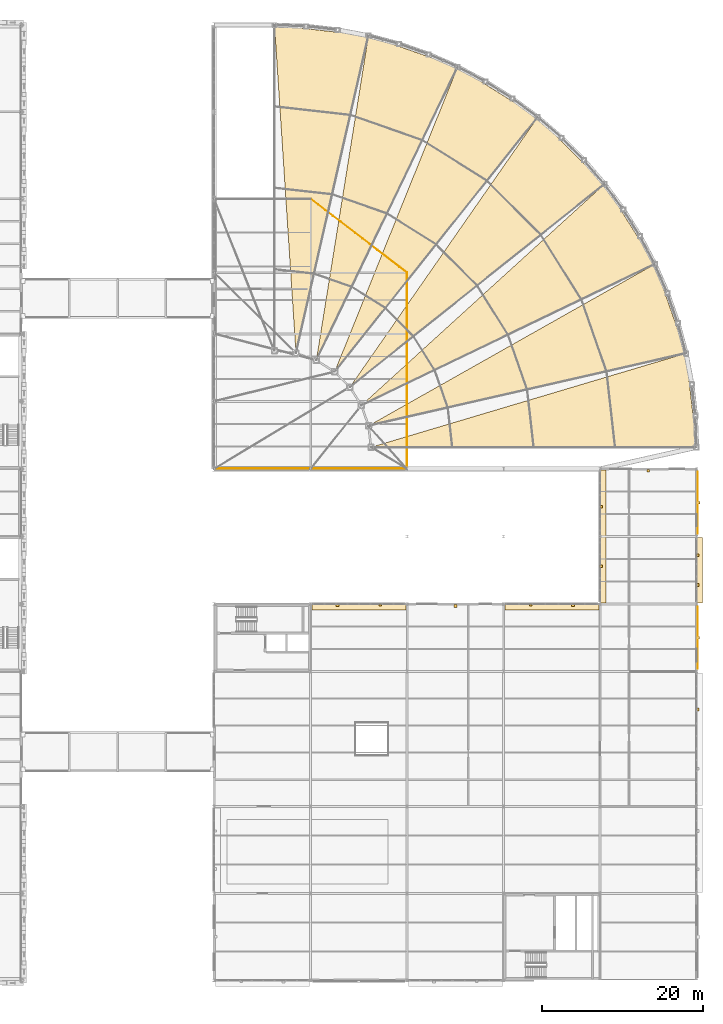
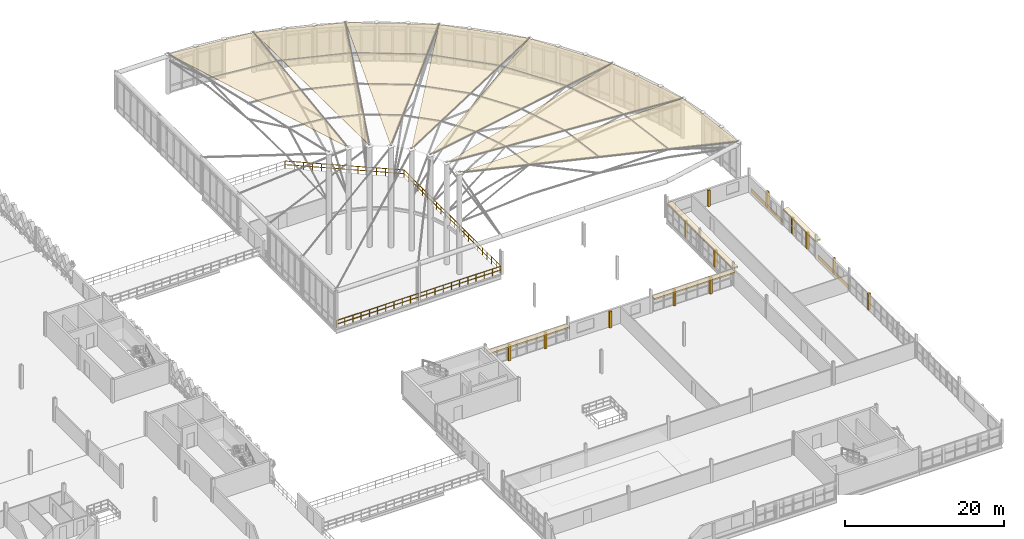
# One storey, part 101 of 101: 13 coverings, 13 shading devices, 3 railings.
"""IFC4 building model written with IfcOpenShell, lengths in metres."""

from ifc_helpers import new_model, si_unit, direction, frame, origin, origin_2d, place, context, subcontext, project, spatial, polyline, rectangle, circle, outline, extrude, material, layer, layer_set, material_profile, profile_set, type_object, element, save


model = new_model("IFC4")

# Units and contexts
model_context = context("Model", 3, precision=1e-05, world=origin(), true_north=direction((0.0, 1.0)))
body_context = subcontext(model_context, "Body", "Model", "MODEL_VIEW")
ifc_project = project(units=[si_unit("LENGTHUNIT", "METRE"), si_unit("AREAUNIT", "SQUARE_METRE"), si_unit("VOLUMEUNIT", "CUBIC_METRE"), si_unit("PLANEANGLEUNIT", "RADIAN"), si_unit("MASSUNIT", "GRAM", prefix="KILO"), si_unit("THERMODYNAMICTEMPERATUREUNIT", "KELVIN"), si_unit("POWERUNIT", "WATT")], contexts=[model_context])

# Site, building, storey
site_placement = place(None, origin())
site = spatial("IfcSite", under=ifc_project, at=site_placement, CompositionType="ELEMENT")
building_placement = place(site_placement, origin())
building = spatial("IfcBuilding", under=site, at=building_placement, Name="Tembeka Court Mobility Hub", CompositionType="ELEMENT")
storey_placement = place(building_placement, frame((0.0, 0.0, 5.39990234375)))
storey = spatial("IfcBuildingStorey", under=building, at=storey_placement, Name="L01", CompositionType="ELEMENT", Elevation=5.39990234375)

# Coverings
ifc_material_1 = material(Name="Dressed ochre Nairobi volcanic-tuff cladding", Category="masonry")
ifc_layer_1 = layer(ifc_material_1, 0.0400390625)
ifc_layer_set_1 = layer_set([ifc_layer_1], Name="Dressed ochre Nairobi volcanic-tuff cladding")
covering_type_1 = type_object("IfcCoveringType", Name="COV-CD01", PredefinedType="CLADDING", material=ifc_layer_set_1)
covering_1_placement = place(storey_placement, frame((176.544921875, 42.60009765625, 0.0), z_axis=(0.0, 0.0, 1.0), x_axis=(0.0, 1.0, 0.0)))
element("IfcCovering", 1, at=covering_1_placement, inside=storey, type_object=covering_type_1, Name="Volcanic-tuff spandrel cladding CVD1-08", PredefinedType="CLADDING", context=body_context, shape_type="SweptSolid", body=[
    extrude(rectangle(XDim=7.743896484375, YDim=0.0400390625, at=origin_2d()), origin(), (0.0, 0.0, 1.0), 0.60009765625),
])
covering_2_placement = place(storey_placement, frame((176.760009765625, 51.0, 2.30517578125), z_axis=(0.0, 0.0, 1.0), x_axis=(0.0, 1.0, 0.0)))
element("IfcCovering", 2, at=covering_2_placement, inside=storey, type_object=covering_type_1, Name="Projecting volcanic-tuff solar hood CVD1-H009", PredefinedType="CLADDING", context=body_context, shape_type="SweptSolid", body=[
    extrude(rectangle(XDim=8.10009765625, YDim=0.800048828125, at=origin_2d()), origin(), (0.0, 0.0, 1.0), 0.219970703125),
])
covering_3_placement = place(storey_placement, frame((176.544921875, 59.39990234375, 0.0), z_axis=(0.0, 0.0, 1.0), x_axis=(0.0, 1.0, 0.0)))
element("IfcCovering", 3, at=covering_3_placement, inside=storey, type_object=covering_type_1, Name="Volcanic-tuff spandrel cladding CVD1-10", PredefinedType="CLADDING", context=body_context, shape_type="SweptSolid", body=[
    extrude(rectangle(XDim=7.743896484375, YDim=0.0400390625, at=origin_2d()), origin(), (0.0, 0.0, 1.0), 0.60009765625),
])
covering_4_placement = place(storey_placement, frame((164.760009765625, 55.199951171875, 2.30517578125), z_axis=(0.0, 0.0, 1.0), x_axis=(0.0, 1.0, 0.0)))
element("IfcCovering", 4, at=covering_4_placement, inside=storey, type_object=covering_type_1, Name="Projecting volcanic-tuff solar hood CVD1-H011", PredefinedType="CLADDING", context=body_context, shape_type="SweptSolid", body=[
    extrude(rectangle(XDim=16.5, YDim=0.800048828125, at=origin_2d()), origin(), (0.0, 0.0, 1.0), 0.219970703125),
])
for number, where, z_axis, x_axis, name in (
    (5, (134.39990234375, 46.43994140625, 2.30517578125), (0.0, 0.0, 1.0), (1.0, 0.0, 0.0), "Projecting volcanic-tuff solar hood CVD1-H012"),
    (6, (158.39990234375, 46.43994140625, 2.30517578125), (0.0, 0.0, 1.0), (1.0, 0.0, 0.0), "Projecting volcanic-tuff solar hood CVD1-H013"),
):
    element("IfcCovering", number, at=place(storey_placement, frame(where, z_axis=z_axis, x_axis=x_axis)), inside=storey, type_object=covering_type_1, Name=name, PredefinedType="CLADDING", context=body_context, shape_type="SweptSolid", body=[
        extrude(rectangle(XDim=11.699951171875, YDim=0.800048828125, at=origin_2d()), origin(), (0.0, 0.0, 1.0), 0.219970703125),
    ])
ifc_material_2 = material(Name="Insulated standing-seam aluminium roofing membrane", Category="aluminium")
ifc_layer_2 = layer(ifc_material_2, 0.044921875)
ifc_layer_set_2 = layer_set([ifc_layer_2], Name="Insulated standing-seam aluminium roofing membrane")
covering_type_2 = type_object("IfcCoveringType", Name="COV-RF01", PredefinedType="ROOFING", material=ifc_layer_set_2)
covering_5_placement = place(storey_placement, frame((135.89990234375, 66.300048828125, 15.420166015625), z_axis=(0.22601898476, 0.025463801108, 0.973790025294), x_axis=(0.974105884147, 0.0, -0.226092296352)))
element("IfcCovering", 7, at=covering_5_placement, inside=storey, type_object=covering_type_2, Name="Concourse cable-net membrane roofing 1A", PredefinedType="ROOFING", context=body_context, shape_type="SweptSolid", body=[
    extrude(outline(polyline([(0.0, 0.0), (41.57658901266082, 5.551115123125783e-17), (40.29450775742713, 11.686162345247663), (0.0, 0.0)])), origin(), (0.0, 0.0, -1.0), 0.044921875),
])
covering_6_placement = place(storey_placement, frame((135.59912109375, 68.97021484375, 15.420166015625), z_axis=(0.214685061222, 0.075121586184, 0.973790055288), x_axis=(0.949682566485, 0.216761262725, -0.226091967782)))
element("IfcCovering", 8, at=covering_6_placement, inside=storey, type_object=covering_type_2, Name="Concourse cable-net membrane roofing 2A", PredefinedType="ROOFING", context=body_context, shape_type="SweptSolid", body=[
    extrude(outline(polyline([(0.0, 0.0), (41.5766494342922, 1.1102230246251565e-15), (40.29448747499708, 11.686024793155449), (0.0, 0.0)])), origin(), (0.0, 0.0, -1.0), 0.044921875),
])
covering_7_placement = place(storey_placement, frame((134.711669921875, 71.506591796875, 15.420166015625), z_axis=(0.192587327599, 0.121008872189, 0.973790005134), x_axis=(0.877639409046, 0.422648026934, -0.226092266603)))
element("IfcCovering", 9, at=covering_7_placement, inside=storey, type_object=covering_type_2, Name="Concourse cable-net membrane roofing 3A", PredefinedType="ROOFING", context=body_context, shape_type="SweptSolid", body=[
    extrude(outline(polyline([(0.0, 0.0), (41.576594483319056, -3.2751579226442118e-15), (40.29446166637859, 11.686130186368866), (0.0, 0.0)])), origin(), (0.0, 0.0, -1.0), 0.044921875),
])
covering_8_placement = place(storey_placement, frame((133.281982421875, 73.781982421875, 15.420166015625), z_axis=(0.16083077629, 0.16083077629, 0.973789978792), x_axis=(0.761589270384, 0.607341855606, -0.226092135343)))
element("IfcCovering", 10, at=covering_8_placement, inside=storey, type_object=covering_type_2, Name="Concourse cable-net membrane roofing 4A", PredefinedType="ROOFING", context=body_context, shape_type="SweptSolid", body=[
    extrude(outline(polyline([(0.0, 0.0), (41.576618621013, 1.27675647831893e-15), (40.294361669550796, 11.686204064572317), (0.0, 0.0)])), origin(), (0.0, 0.0, -1.0), 0.044921875),
])
covering_9_placement = place(storey_placement, frame((131.3818359375, 75.681884765625, 15.420166015625), z_axis=(0.121008536425, 0.192586793225, 0.973790152542), x_axis=(0.607345561658, 0.761586554291, -0.22609132902)))
element("IfcCovering", 11, at=covering_9_placement, inside=storey, type_object=covering_type_2, Name="Concourse cable-net membrane roofing 5A", PredefinedType="ROOFING", context=body_context, shape_type="SweptSolid", body=[
    extrude(outline(polyline([(0.0, 0.0), (41.57676689828561, 5.467848396278896e-15), (40.29448793073483, 11.686114150666782), (0.0, 0.0)])), origin(), (0.0, 0.0, -1.0), 0.044921875),
])
covering_10_placement = place(storey_placement, frame((129.106689453125, 77.111572265625, 15.420166015625), z_axis=(0.075120278874, 0.214686048501, 0.973789938478), x_axis=(0.422648026934, 0.877639409046, -0.226092266603)))
element("IfcCovering", 12, at=covering_10_placement, inside=storey, type_object=covering_type_2, Name="Concourse cable-net membrane roofing 6A", PredefinedType="ROOFING", context=body_context, shape_type="SweptSolid", body=[
    extrude(outline(polyline([(0.0, 0.0), (41.576594483319056, 2.4424906541753444e-15), (40.294313975818994, 11.686243609356122), (0.0, 0.0)])), origin(), (0.0, 0.0, -1.0), 0.044921875),
])
covering_11_placement = place(storey_placement, frame((126.5703125, 77.9990234375, 15.420166015625), z_axis=(0.025468452716, 0.226018347718, 0.973790051506), x_axis=(0.216755666555, 0.949683775261, -0.226092255556)))
element("IfcCovering", 13, at=covering_11_placement, inside=storey, type_object=covering_type_2, Name="Concourse cable-net membrane roofing 7A", PredefinedType="ROOFING", context=body_context, shape_type="SweptSolid", body=[
    extrude(outline(polyline([(0.0, 0.0), (41.57659651474517, 1.0269562977782698e-15), (40.294545615307484, 11.686193174538985), (0.0, 0.0)])), origin(), (0.0, 0.0, -1.0), 0.044921875),
])

# Railings
ifc_material_3 = material(Name="Laminated glass and aluminium balustrade", Category="aluminium")
railing_type = type_object("IfcRailingType", Name="RL-BL01", PredefinedType="BALUSTRADE", material=ifc_material_3)
railing_1_placement = place(storey_placement, frame((116.530029296875, 63.64990234375, 0.0)))
element("IfcRailing", 14, at=railing_1_placement, inside=storey, type_object=railing_type, Name="Perimeter guard BL01-0017", PredefinedType="BALUSTRADE", context=body_context, shape_type="SweptSolid", body=[
    extrude(circle(Radius=0.02392578125, at=origin_2d()), frame((0.0, 0.0, 1.09619140625), z_axis=(1.0, 0.0, 0.0), x_axis=(0.0, 1.0, 0.0)), (0.0, 0.0, 1.0), 23.840087890625),
    extrude(circle(Radius=0.02392578125, at=origin_2d()), frame((0.0, 0.0, 0.5361328125), z_axis=(1.0, 0.0, 0.0), x_axis=(0.0, 1.0, 0.0)), (0.0, 0.0, 1.0), 23.840087890625),
    extrude(circle(Radius=0.02099609375, at=origin_2d()), origin(), (0.0, 0.0, 1.0), 1.072021484375),
    extrude(circle(Radius=0.02099609375, at=origin_2d()), frame((1.19189453125, 0.0, 0.0)), (0.0, 0.0, 1.0), 1.072021484375),
    extrude(circle(Radius=0.02099609375, at=origin_2d()), frame((2.384033203125, 0.0, 0.0)), (0.0, 0.0, 1.0), 1.072021484375),
    extrude(circle(Radius=0.02099609375, at=origin_2d()), frame((3.575927734375, 0.0, 0.0)), (0.0, 0.0, 1.0), 1.072021484375),
    extrude(circle(Radius=0.02099609375, at=origin_2d()), frame((4.76806640625, 0.0, 0.0)), (0.0, 0.0, 1.0), 1.072021484375),
    extrude(circle(Radius=0.02099609375, at=origin_2d()), frame((5.9599609375, 0.0, 0.0)), (0.0, 0.0, 1.0), 1.072021484375),
    extrude(circle(Radius=0.02099609375, at=origin_2d()), frame((7.152099609375, 0.0, 0.0)), (0.0, 0.0, 1.0), 1.072021484375),
    extrude(circle(Radius=0.02099609375, at=origin_2d()), frame((8.343994140625, 0.0, 0.0)), (0.0, 0.0, 1.0), 1.072021484375),
    extrude(circle(Radius=0.02099609375, at=origin_2d()), frame((9.5361328125, 0.0, 0.0)), (0.0, 0.0, 1.0), 1.072021484375),
    extrude(circle(Radius=0.02099609375, at=origin_2d()), frame((10.72802734375, 0.0, 0.0)), (0.0, 0.0, 1.0), 1.072021484375),
    extrude(circle(Radius=0.02099609375, at=origin_2d()), frame((11.919921875, 0.0, 0.0)), (0.0, 0.0, 1.0), 1.072021484375),
    extrude(circle(Radius=0.02099609375, at=origin_2d()), frame((13.112060546875, 0.0, 0.0)), (0.0, 0.0, 1.0), 1.072021484375),
    extrude(circle(Radius=0.02099609375, at=origin_2d()), frame((14.303955078125, 0.0, 0.0)), (0.0, 0.0, 1.0), 1.072021484375),
    extrude(circle(Radius=0.02099609375, at=origin_2d()), frame((15.49609375, 0.0, 0.0)), (0.0, 0.0, 1.0), 1.072021484375),
    extrude(circle(Radius=0.02099609375, at=origin_2d()), frame((16.68798828125, 0.0, 0.0)), (0.0, 0.0, 1.0), 1.072021484375),
    extrude(circle(Radius=0.02099609375, at=origin_2d()), frame((17.880126953125, 0.0, 0.0)), (0.0, 0.0, 1.0), 1.072021484375),
    extrude(circle(Radius=0.02099609375, at=origin_2d()), frame((19.072021484375, 0.0, 0.0)), (0.0, 0.0, 1.0), 1.072021484375),
    extrude(circle(Radius=0.02099609375, at=origin_2d()), frame((20.26416015625, 0.0, 0.0)), (0.0, 0.0, 1.0), 1.072021484375),
    extrude(circle(Radius=0.02099609375, at=origin_2d()), frame((21.4560546875, 0.0, 0.0)), (0.0, 0.0, 1.0), 1.072021484375),
    extrude(circle(Radius=0.02099609375, at=origin_2d()), frame((22.648193359375, 0.0, 0.0)), (0.0, 0.0, 1.0), 1.072021484375),
    extrude(circle(Radius=0.02099609375, at=origin_2d()), frame((23.840087890625, 0.0, 0.0)), (0.0, 0.0, 1.0), 1.072021484375),
])
railing_2_placement = place(storey_placement, frame((140.39990234375, 63.679931640625, 0.0)))
element("IfcRailing", 15, at=railing_2_placement, inside=storey, type_object=railing_type, Name="Perimeter guard BL01-0018", PredefinedType="BALUSTRADE", context=body_context, shape_type="SweptSolid", body=[
    extrude(circle(Radius=0.02392578125, at=origin_2d()), frame((0.0, 0.0, 1.09619140625), z_axis=(0.0, 1.0, 0.0), x_axis=(-1.0, 0.0, 0.0)), (0.0, 0.0, 1.0), 24.2900390625),
    extrude(circle(Radius=0.02392578125, at=origin_2d()), frame((0.0, 0.0, 0.5361328125), z_axis=(0.0, 1.0, 0.0), x_axis=(-1.0, 0.0, 0.0)), (0.0, 0.0, 1.0), 24.2900390625),
    extrude(circle(Radius=0.02099609375, at=origin_2d()), origin(), (0.0, 0.0, 1.0), 1.072021484375),
    extrude(circle(Radius=0.02099609375, at=origin_2d()), frame((0.0, 1.15673828125, 0.0)), (0.0, 0.0, 1.0), 1.072021484375),
    extrude(circle(Radius=0.02099609375, at=origin_2d()), frame((0.0, 2.313232421875, 0.0)), (0.0, 0.0, 1.0), 1.072021484375),
    extrude(circle(Radius=0.02099609375, at=origin_2d()), frame((0.0, 3.469970703125, 0.0)), (0.0, 0.0, 1.0), 1.072021484375),
    extrude(circle(Radius=0.02099609375, at=origin_2d()), frame((0.0, 4.626708984375, 0.0)), (0.0, 0.0, 1.0), 1.072021484375),
    extrude(circle(Radius=0.02099609375, at=origin_2d()), frame((0.0, 5.783447265625, 0.0)), (0.0, 0.0, 1.0), 1.072021484375),
    extrude(circle(Radius=0.02099609375, at=origin_2d()), frame((0.0, 6.93994140625, 0.0)), (0.0, 0.0, 1.0), 1.072021484375),
    extrude(circle(Radius=0.02099609375, at=origin_2d()), frame((0.0, 8.0966796875, 0.0)), (0.0, 0.0, 1.0), 1.072021484375),
    extrude(circle(Radius=0.02099609375, at=origin_2d()), frame((0.0, 9.25341796875, 0.0)), (0.0, 0.0, 1.0), 1.072021484375),
    extrude(circle(Radius=0.02099609375, at=origin_2d()), frame((0.0, 10.409912109375, 0.0)), (0.0, 0.0, 1.0), 1.072021484375),
    extrude(circle(Radius=0.02099609375, at=origin_2d()), frame((0.0, 11.566650390625, 0.0)), (0.0, 0.0, 1.0), 1.072021484375),
    extrude(circle(Radius=0.02099609375, at=origin_2d()), frame((0.0, 12.723388671875, 0.0)), (0.0, 0.0, 1.0), 1.072021484375),
    extrude(circle(Radius=0.02099609375, at=origin_2d()), frame((0.0, 13.880126953125, 0.0)), (0.0, 0.0, 1.0), 1.072021484375),
    extrude(circle(Radius=0.02099609375, at=origin_2d()), frame((0.0, 15.03662109375, 0.0)), (0.0, 0.0, 1.0), 1.072021484375),
    extrude(circle(Radius=0.02099609375, at=origin_2d()), frame((0.0, 16.193359375, 0.0)), (0.0, 0.0, 1.0), 1.072021484375),
    extrude(circle(Radius=0.02099609375, at=origin_2d()), frame((0.0, 17.35009765625, 0.0)), (0.0, 0.0, 1.0), 1.072021484375),
    extrude(circle(Radius=0.02099609375, at=origin_2d()), frame((0.0, 18.506591796875, 0.0)), (0.0, 0.0, 1.0), 1.072021484375),
    extrude(circle(Radius=0.02099609375, at=origin_2d()), frame((0.0, 19.663330078125, 0.0)), (0.0, 0.0, 1.0), 1.072021484375),
    extrude(circle(Radius=0.02099609375, at=origin_2d()), frame((0.0, 20.820068359375, 0.0)), (0.0, 0.0, 1.0), 1.072021484375),
    extrude(circle(Radius=0.02099609375, at=origin_2d()), frame((0.0, 21.976806640625, 0.0)), (0.0, 0.0, 1.0), 1.072021484375),
    extrude(circle(Radius=0.02099609375, at=origin_2d()), frame((0.0, 23.13330078125, 0.0)), (0.0, 0.0, 1.0), 1.072021484375),
    extrude(circle(Radius=0.02099609375, at=origin_2d()), frame((0.0, 24.2900390625, 0.0)), (0.0, 0.0, 1.0), 1.072021484375),
])
railing_3_placement = place(storey_placement, frame((140.376220703125, 88.018310546875, 0.0)))
element("IfcRailing", 16, at=railing_3_placement, inside=storey, type_object=railing_type, Name="Perimeter guard BL01-0019", PredefinedType="BALUSTRADE", context=body_context, shape_type="SweptSolid", body=[
    extrude(circle(Radius=0.02392578125, at=origin_2d()), frame((0.0, 0.0, 1.09619140625), z_axis=(-0.793611840347, 0.608424396996, 0.0), x_axis=(-0.608424396996, -0.793611840347, 0.0)), (0.0, 0.0, 1.0), 15.060791015625),
    extrude(circle(Radius=0.02392578125, at=origin_2d()), frame((0.0, 0.0, 0.5361328125), z_axis=(-0.793611840347, 0.608424396996, 0.0), x_axis=(-0.608424396996, -0.793611840347, 0.0)), (0.0, 0.0, 1.0), 15.060791015625),
    extrude(circle(Radius=0.02099609375, at=origin_2d()), origin(), (0.0, 0.0, 1.0), 1.072021484375),
    extrude(circle(Radius=0.02099609375, at=origin_2d()), frame((-0.91943359375, 0.704833984375, 0.0)), (0.0, 0.0, 1.0), 1.072021484375),
    extrude(circle(Radius=0.02099609375, at=origin_2d()), frame((-1.8388671875, 1.40966796875, 0.0)), (0.0, 0.0, 1.0), 1.072021484375),
    extrude(circle(Radius=0.02099609375, at=origin_2d()), frame((-2.75830078125, 2.114501953125, 0.0)), (0.0, 0.0, 1.0), 1.072021484375),
    extrude(circle(Radius=0.02099609375, at=origin_2d()), frame((-3.677734375, 2.819580078125, 0.0)), (0.0, 0.0, 1.0), 1.072021484375),
    extrude(circle(Radius=0.02099609375, at=origin_2d()), frame((-4.59716796875, 3.5244140625, 0.0)), (0.0, 0.0, 1.0), 1.072021484375),
    extrude(circle(Radius=0.02099609375, at=origin_2d()), frame((-5.5166015625, 4.229248046875, 0.0)), (0.0, 0.0, 1.0), 1.072021484375),
    extrude(circle(Radius=0.02099609375, at=origin_2d()), frame((-6.435791015625, 4.93408203125, 0.0)), (0.0, 0.0, 1.0), 1.072021484375),
    extrude(circle(Radius=0.02099609375, at=origin_2d()), frame((-7.355224609375, 5.638916015625, 0.0)), (0.0, 0.0, 1.0), 1.072021484375),
    extrude(circle(Radius=0.02099609375, at=origin_2d()), frame((-8.274658203125, 6.34375, 0.0)), (0.0, 0.0, 1.0), 1.072021484375),
    extrude(circle(Radius=0.02099609375, at=origin_2d()), frame((-9.194091796875, 7.048828125, 0.0)), (0.0, 0.0, 1.0), 1.072021484375),
    extrude(circle(Radius=0.02099609375, at=origin_2d()), frame((-10.113525390625, 7.753662109375, 0.0)), (0.0, 0.0, 1.0), 1.072021484375),
    extrude(circle(Radius=0.02099609375, at=origin_2d()), frame((-11.032958984375, 8.45849609375, 0.0)), (0.0, 0.0, 1.0), 1.072021484375),
    extrude(circle(Radius=0.02099609375, at=origin_2d()), frame((-11.952392578125, 9.163330078125, 0.0)), (0.0, 0.0, 1.0), 1.072021484375),
])

# Shading devices
ifc_material_4 = material(Name="Bronze-anodised aluminium 6063-T6", Category="aluminium")
ifc_material_profile_1 = material_profile(ifc_material_4, rectangle(XDim=0.360107421875, YDim=0.360107421875, at=origin_2d()), Name="ALU-FIN 360x360")
ifc_profile_set_1 = profile_set([ifc_material_profile_1], Name="Bronze-anodised aluminium 6063-T6")
shading_device_type_1 = type_object("IfcShadingDeviceType", Name="SHD-FN01", PredefinedType="JALOUSIE", material=ifc_profile_set_1)
for number, where, z_axis, x_axis, name in (
    (17, (176.52001953125, 33.696044921875, 0.0), (0.0, 0.0, 1.0), (1.0, 0.0, 0.0), "Equatorial solar shading fin FN01-012"),
    (18, (176.52001953125, 49.152099609375, 0.0), (0.0, 0.0, 1.0), (1.0, 0.0, 0.0), "Equatorial solar shading fin FN01-014"),
):
    element("IfcShadingDevice", number, at=place(storey_placement, frame(where, z_axis=z_axis, x_axis=x_axis)), inside=storey, type_object=shading_device_type_1, Name=name, PredefinedType="JALOUSIE", context=body_context, shape_type="SweptSolid", body=[
        extrude(rectangle(XDim=0.360107421875, YDim=0.360107421875, at=origin_2d()), origin(), (0.0, 0.0, 1.0), 2.51513671875),
    ])
shading_device_1_placement = place(storey_placement, frame((176.639892578125, 59.39990234375, 0.0), z_axis=(0.0, 0.0, 1.0), x_axis=(1.0, 0.0, 0.0)))
element("IfcShadingDevice", 19, at=shading_device_1_placement, inside=storey, type_object=shading_device_type_1, Name="Equatorial solar shading fin FN01-016", PredefinedType="JALOUSIE", context=body_context, shape_type="SweptSolid", body=[
    extrude(rectangle(XDim=0.360107421875, YDim=0.360107421875, at=origin_2d()), origin(), (0.0, 0.0, 1.0), 2.485107421875),
])
for number, where, z_axis, x_axis, name in (
    (20, (164.52001953125, 51.50390625, 0.0), (0.0, 0.0, 1.0), (1.0, 0.0, 0.0), "Equatorial solar shading fin FN01-018"),
    (21, (131.760009765625, 46.679931640625, 0.0), (0.0, 0.0, 1.0), (1.0, 0.0, 0.0), "Equatorial solar shading fin FN01-020"),
):
    element("IfcShadingDevice", number, at=place(storey_placement, frame(where, z_axis=z_axis, x_axis=x_axis)), inside=storey, type_object=shading_device_type_1, Name=name, PredefinedType="JALOUSIE", context=body_context, shape_type="SweptSolid", body=[
        extrude(rectangle(XDim=0.360107421875, YDim=0.360107421875, at=origin_2d()), origin(), (0.0, 0.0, 1.0), 2.51513671875),
    ])
shading_device_2_placement = place(storey_placement, frame((146.39990234375, 46.56005859375, 0.0), z_axis=(0.0, 0.0, 1.0), x_axis=(1.0, 0.0, 0.0)))
element("IfcShadingDevice", 22, at=shading_device_2_placement, inside=storey, type_object=shading_device_type_1, Name="Equatorial solar shading fin FN01-022", PredefinedType="JALOUSIE", context=body_context, shape_type="SweptSolid", body=[
    extrude(rectangle(XDim=0.360107421875, YDim=0.360107421875, at=origin_2d()), origin(), (0.0, 0.0, 1.0), 2.485107421875),
])
shading_device_3_placement = place(storey_placement, frame((161.0400390625, 46.679931640625, 0.0), z_axis=(0.0, 0.0, 1.0), x_axis=(1.0, 0.0, 0.0)))
element("IfcShadingDevice", 23, at=shading_device_3_placement, inside=storey, type_object=shading_device_type_1, Name="Equatorial solar shading fin FN01-024", PredefinedType="JALOUSIE", context=body_context, shape_type="SweptSolid", body=[
    extrude(rectangle(XDim=0.360107421875, YDim=0.360107421875, at=origin_2d()), origin(), (0.0, 0.0, 1.0), 2.51513671875),
])
ifc_material_profile_2 = material_profile(ifc_material_4, rectangle(XDim=0.300048828125, YDim=0.300048828125, at=origin_2d()), Name="ALU-LVR 300x300")
ifc_profile_set_2 = profile_set([ifc_material_profile_2], Name="Bronze-anodised aluminium 6063-T6")
shading_device_type_2 = type_object("IfcShadingDeviceType", Name="SHD-LV01", PredefinedType="SHUTTER", material=ifc_profile_set_2)
shading_device_4_placement = place(storey_placement, frame((176.610107421875, 42.60009765625, 0.0), z_axis=(0.0, 0.0, 1.0), x_axis=(1.0, 0.0, 0.0)))
element("IfcShadingDevice", 24, at=shading_device_4_placement, inside=storey, type_object=shading_device_type_2, Name="Equatorial solar shading fin LV01-013", PredefinedType="SHUTTER", context=body_context, shape_type="SweptSolid", body=[
    extrude(rectangle(XDim=0.300048828125, YDim=0.300048828125, at=origin_2d()), origin(), (0.0, 0.0, 1.0), 2.485107421875),
])
shading_device_5_placement = place(storey_placement, frame((176.52001953125, 52.847900390625, 0.0), z_axis=(0.0, 0.0, 1.0), x_axis=(1.0, 0.0, 0.0)))
element("IfcShadingDevice", 25, at=shading_device_5_placement, inside=storey, type_object=shading_device_type_2, Name="Equatorial solar shading fin LV01-015", PredefinedType="SHUTTER", context=body_context, shape_type="SweptSolid", body=[
    extrude(rectangle(XDim=0.300048828125, YDim=0.300048828125, at=origin_2d()), origin(), (0.0, 0.0, 1.0), 2.51513671875),
])
shading_device_6_placement = place(storey_placement, frame((170.410888671875, 63.389892578125, 0.0), z_axis=(0.0, 0.0, 1.0), x_axis=(1.0, 0.0, 0.0)))
element("IfcShadingDevice", 26, at=shading_device_6_placement, inside=storey, type_object=shading_device_type_2, Name="Equatorial solar shading fin LV01-017", PredefinedType="SHUTTER", context=body_context, shape_type="SweptSolid", body=[
    extrude(rectangle(XDim=0.300048828125, YDim=0.300048828125, at=origin_2d()), origin(), (0.0, 0.0, 1.0), 2.485107421875),
])
for number, where, z_axis, x_axis, name in (
    (27, (164.52001953125, 58.89599609375, 0.0), (0.0, 0.0, 1.0), (1.0, 0.0, 0.0), "Equatorial solar shading fin LV01-019"),
    (28, (137.0400390625, 46.679931640625, 0.0), (0.0, 0.0, 1.0), (1.0, 0.0, 0.0), "Equatorial solar shading fin LV01-021"),
    (29, (155.760009765625, 46.679931640625, 0.0), (0.0, 0.0, 1.0), (1.0, 0.0, 0.0), "Equatorial solar shading fin LV01-023"),
):
    element("IfcShadingDevice", number, at=place(storey_placement, frame(where, z_axis=z_axis, x_axis=x_axis)), inside=storey, type_object=shading_device_type_2, Name=name, PredefinedType="SHUTTER", context=body_context, shape_type="SweptSolid", body=[
        extrude(rectangle(XDim=0.300048828125, YDim=0.300048828125, at=origin_2d()), origin(), (0.0, 0.0, 1.0), 2.51513671875),
    ])

save(model, "model.ifc")
